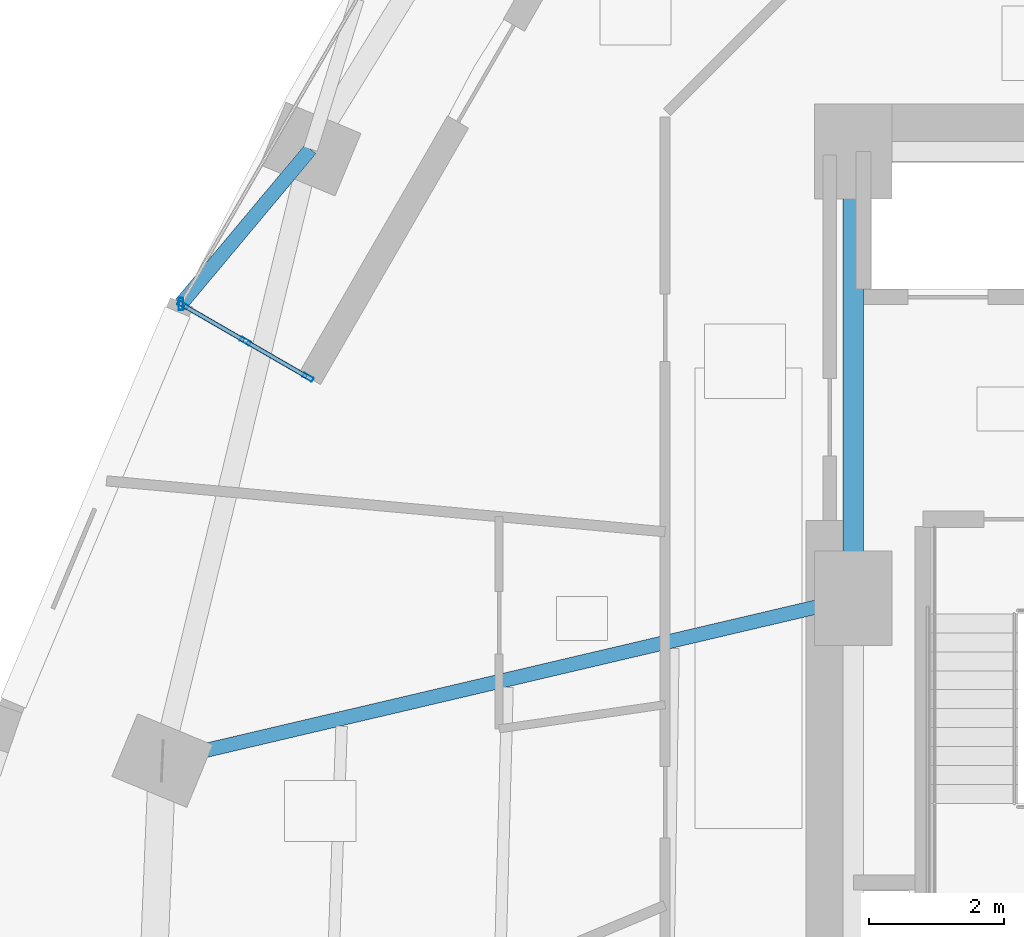
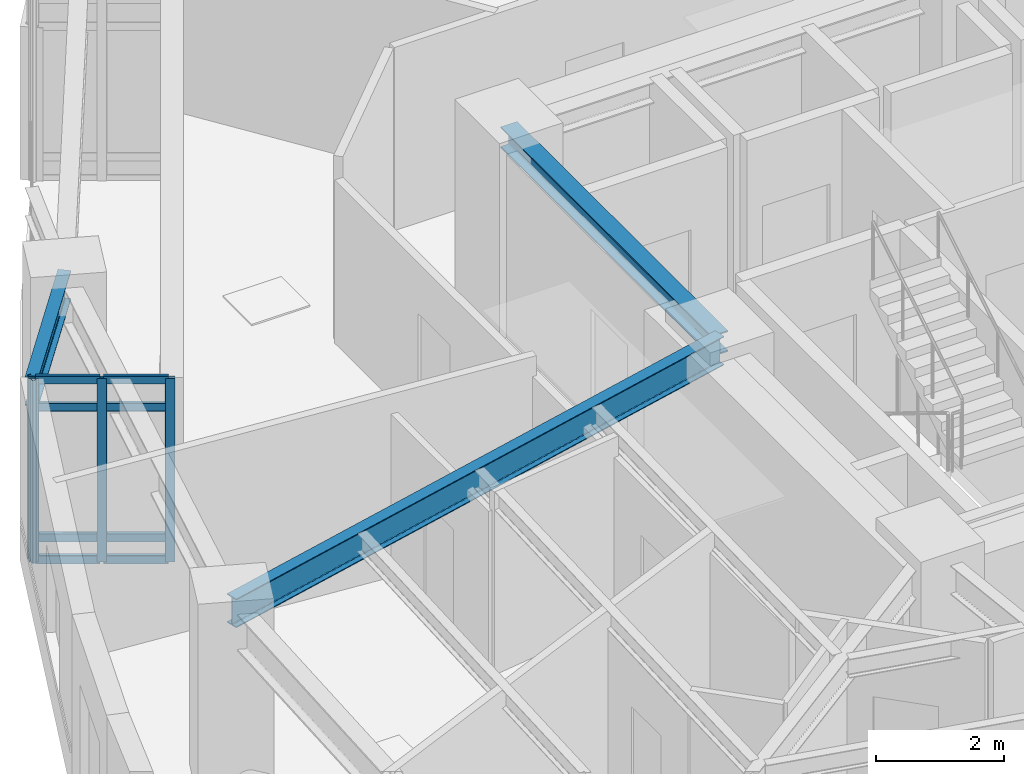
# One storey, part 2 of 13: 12 members, 3 beams, 1 element without a shape of its own.
"""IFC4 building model written with IfcOpenShell, lengths in metres."""

from ifc_helpers import new_model, si_unit, direction, frame, origin, origin_2d, place, context, subcontext, project, spatial, hollow_rectangle, i_section, extrude, material, layer, layer_set, material_profile, profile_set, type_object, element, aggregate, save


model = new_model("IFC4")

# Units and contexts
model_context = context("Model", 3, precision=1e-05, world=origin(), true_north=direction((0.0, 1.0)))
body_context = subcontext(model_context, "Body", "Model", "MODEL_VIEW")
ifc_project = project(units=[si_unit("LENGTHUNIT", "METRE"), si_unit("AREAUNIT", "SQUARE_METRE"), si_unit("VOLUMEUNIT", "CUBIC_METRE"), si_unit("PLANEANGLEUNIT", "RADIAN"), si_unit("MASSUNIT", "GRAM", prefix="KILO")], contexts=[model_context])

# Site, building, storey
site_placement = place(None, origin())
site = spatial("IfcSite", under=ifc_project, at=site_placement, CompositionType="ELEMENT")
building_placement = place(site_placement, origin())
building = spatial("IfcBuilding", under=site, at=building_placement, Name="Ndelora Gate Hotel", CompositionType="ELEMENT")
storey_placement = place(building_placement, frame((0.0, 0.0, 34.25)))
storey = spatial("IfcBuildingStorey", under=building, at=storey_placement, Name="L07", CompositionType="ELEMENT", Elevation=34.25)

# Beams
ifc_material_1 = material(Name="Steel S355", Category="steel")
ifc_material_profile_1 = material_profile(ifc_material_1, i_section(OverallWidth=0.300048828125, OverallDepth=0.39990234375, WebThickness=0.013427734375, FlangeThickness=0.02392578125, FilletRadius=0.027099609375, at=origin_2d()), Name="HEB 400")
ifc_profile_set_1 = profile_set([ifc_material_profile_1], Name="Steel S355")
beam_type_1 = type_object("IfcBeamType", Name="BM-CORE-400", PredefinedType="BEAM", material=ifc_profile_set_1)
beam_1_placement = place(storey_placement, frame((-8.0, 0.0, 3.300048828125), z_axis=(0.0, 1.0, 0.0), x_axis=(-1.0, 0.0, 0.0)))
element("IfcBeam", 1, at=beam_1_placement, inside=storey, type_object=beam_type_1, Name="L07 Core Tie Girder CC8-CC7", PredefinedType="BEAM", context=body_context, shape_type="SweptSolid", body=[
    extrude(i_section(OverallWidth=0.300048828125, OverallDepth=0.39990234375, WebThickness=0.013427734375, FlangeThickness=0.02392578125, FilletRadius=0.027099609375, at=origin_2d()), origin(), (0.0, 0.0, 1.0), 6.60009765625),
])
ifc_material_profile_2 = material_profile(ifc_material_1, i_section(OverallWidth=0.2099609375, OverallDepth=0.550048828125, WebThickness=0.010986328125, FlangeThickness=0.01708984375, FilletRadius=0.02392578125, at=origin_2d()), Name="IPE 550")
ifc_profile_set_2 = profile_set([ifc_material_profile_2], Name="Steel S355")
beam_type_2 = type_object("IfcBeamType", Name="BM-RAD-550", PredefinedType="BEAM", material=ifc_profile_set_2)
beam_2_placement = place(storey_placement, frame((-8.0, 0.0, 3.22509765625), z_axis=(-0.973517848051, -0.22861102232, 0.0), x_axis=(0.22861102232, -0.973517848051, 0.0)))
element("IfcBeam", 2, at=beam_2_placement, inside=storey, type_object=beam_type_2, Name="L07 Radial Floor Girder 4", PredefinedType="BEAM", context=body_context, shape_type="SweptSolid", body=[
    extrude(i_section(OverallWidth=0.2099609375, OverallDepth=0.550048828125, WebThickness=0.010986328125, FlangeThickness=0.01708984375, FilletRadius=0.02392578125, at=origin_2d()), origin(), (0.0, 0.0, 1.0), 10.48486328125),
])
beam_3_placement = place(storey_placement, frame((-16.016845703125, 6.634521484375, 3.22509765625), z_axis=(-0.641689214339, -0.766964765945, 0.0), x_axis=(0.766964765945, -0.641689214339, 0.0)))
element("IfcBeam", 3, at=beam_3_placement, inside=storey, type_object=beam_type_2, Name="L07 Sky-Garden Loggia Column Bracket 3", PredefinedType="BEAM", context=body_context, shape_type="SweptSolid", body=[
    extrude(i_section(OverallWidth=0.2099609375, OverallDepth=0.550048828125, WebThickness=0.010986328125, FlangeThickness=0.01708984375, FilletRadius=0.02392578125, at=origin_2d()), origin(), (0.0, 0.0, 1.0), 2.981689453125),
])

# Curtain wall, members
ifc_material_2 = material(Name="Bronze Anodised Unitised Aluminium and Low-E Glass", Category="aluminium")
ifc_layer = layer(ifc_material_2, 0.199951171875)
ifc_layer_set = layer_set([ifc_layer], Name="Bronze Anodised Unitised Aluminium and Low-E Glass")
curtain_wall_type = type_object("IfcCurtainWallType", Name="CW-SYS-3", PredefinedType="NOTDEFINED", material=ifc_layer_set)
curtain_wall_placement = place(storey_placement, origin())
curtain_wall = element("IfcCurtainWall", 4, at=curtain_wall_placement, inside=storey, type_object=curtain_wall_type, Name="L07 Sky-Garden Loggia Side Curtain Wall CW3-2", PredefinedType="NOTDEFINED")
ifc_material_3 = material(Name="Bronze Anodised Aluminium 6063-T6", Category="aluminium")
ifc_material_profile_3 = material_profile(ifc_material_3, hollow_rectangle(XDim=0.06494140625, YDim=0.159912109375, WallThickness=0.00390625, InnerFilletRadius=0.00390625, OuterFilletRadius=0.008056640625, at=origin_2d()), Name="ALU 160x65x4")
ifc_profile_set_3 = profile_set([ifc_material_profile_3], Name="Bronze Anodised Aluminium 6063-T6")
member_type_1 = type_object("IfcMemberType", Name="MB-CW-MUL150", PredefinedType="MULLION", material=ifc_profile_set_3)
member_1_placement = place(storey_placement, frame((-17.902099609375, 4.331298828125, -0.00390625), z_axis=(0.0, 0.0, 1.0), x_axis=(0.499991317892, 0.866030416344, 0.0)))
member_1 = element("IfcMember", 5, at=member_1_placement, type_object=member_type_1, Name="CW3 mullion 1", PredefinedType="MULLION", context=body_context, shape_type="SweptSolid", body=[
    extrude(hollow_rectangle(XDim=0.06494140625, YDim=0.159912109375, WallThickness=0.00390625, InnerFilletRadius=0.00390625, OuterFilletRadius=0.008056640625, at=origin_2d()), origin(), (0.0, 0.0, 1.0), 3.5078125),
])
member_2_placement = place(storey_placement, frame((-16.9775390625, 3.797607421875, -0.00390625), z_axis=(0.0, 0.0, 1.0), x_axis=(0.499991317892, 0.866030416344, 0.0)))
member_2 = element("IfcMember", 6, at=member_2_placement, type_object=member_type_1, Name="CW3 mullion 2", PredefinedType="MULLION", context=body_context, shape_type="SweptSolid", body=[
    extrude(hollow_rectangle(XDim=0.06494140625, YDim=0.159912109375, WallThickness=0.00390625, InnerFilletRadius=0.00390625, OuterFilletRadius=0.008056640625, at=origin_2d()), origin(), (0.0, 0.0, 1.0), 3.5078125),
])
member_3_placement = place(storey_placement, frame((-16.052978515625, 3.263916015625, -0.00390625), z_axis=(0.0, 0.0, 1.0), x_axis=(0.499991317892, 0.866030416344, 0.0)))
member_3 = element("IfcMember", 7, at=member_3_placement, type_object=member_type_1, Name="CW3 mullion 3", PredefinedType="MULLION", context=body_context, shape_type="SweptSolid", body=[
    extrude(hollow_rectangle(XDim=0.06494140625, YDim=0.159912109375, WallThickness=0.00390625, InnerFilletRadius=0.00390625, OuterFilletRadius=0.008056640625, at=origin_2d()), origin(), (0.0, 0.0, 1.0), 3.5078125),
])
ifc_material_profile_4 = material_profile(ifc_material_3, hollow_rectangle(XDim=0.070068359375, YDim=0.179931640625, WallThickness=0.0048828125, InnerFilletRadius=0.0048828125, OuterFilletRadius=0.010009765625, at=origin_2d()), Name="ALU 180x70x5")
ifc_profile_set_4 = profile_set([ifc_material_profile_4], Name="Bronze Anodised Aluminium 6063-T6")
member_type_2 = type_object("IfcMemberType", Name="MB-CW-MUL180", PredefinedType="MULLION", material=ifc_profile_set_4)
member_4_placement = place(storey_placement, frame((-17.93017578125, 4.34765625, 0.0), z_axis=(0.0, 0.0, 1.0), x_axis=(1.0, 0.0, 0.0)))
member_4 = element("IfcMember", 8, at=member_4_placement, type_object=member_type_2, Name="L07 Sky-Garden Loggia Corner Mullion Post 2", PredefinedType="MULLION", context=body_context, shape_type="SweptSolid", body=[
    extrude(hollow_rectangle(XDim=0.070068359375, YDim=0.179931640625, WallThickness=0.0048828125, InnerFilletRadius=0.0048828125, OuterFilletRadius=0.010009765625, at=origin_2d()), origin(), (0.0, 0.0, 1.0), 3.5),
])
ifc_material_profile_5 = material_profile(ifc_material_3, hollow_rectangle(XDim=0.06494140625, YDim=0.159912109375, WallThickness=0.00390625, InnerFilletRadius=0.00390625, OuterFilletRadius=0.008056640625, at=origin_2d()), Name="ALU 160x65x4")
ifc_profile_set_5 = profile_set([ifc_material_profile_5], Name="Bronze Anodised Aluminium 6063-T6")
member_type_3 = type_object("IfcMemberType", Name="MB-CW-TRN150", PredefinedType="USERDEFINED", material=ifc_profile_set_5)
member_5_placement = place(storey_placement, frame((-17.879150390625, 4.318115234375, 0.032470703125), z_axis=(0.866013277291, -0.500021003115, 0.0), x_axis=(0.500021003115, 0.866013277291, 0.0)))
member_5 = element("IfcMember", 9, at=member_5_placement, type_object=member_type_3, Name="CW3 transom 1.1", ObjectType="TRANSOM", PredefinedType="USERDEFINED", context=body_context, shape_type="SweptSolid", body=[
    extrude(hollow_rectangle(XDim=0.06494140625, YDim=0.159912109375, WallThickness=0.00390625, InnerFilletRadius=0.00390625, OuterFilletRadius=0.008056640625, at=origin_2d()), origin(), (0.0, 0.0, 1.0), 1.0146484375),
])
member_6_placement = place(storey_placement, frame((-17.879150390625, 4.318115234375, 0.449951171875), z_axis=(0.866013277291, -0.500021003115, 0.0), x_axis=(0.500021003115, 0.866013277291, 0.0)))
member_6 = element("IfcMember", 10, at=member_6_placement, type_object=member_type_3, Name="CW3 transom 1.2", ObjectType="TRANSOM", PredefinedType="USERDEFINED", context=body_context, shape_type="SweptSolid", body=[
    extrude(hollow_rectangle(XDim=0.06494140625, YDim=0.159912109375, WallThickness=0.00390625, InnerFilletRadius=0.00390625, OuterFilletRadius=0.008056640625, at=origin_2d()), origin(), (0.0, 0.0, 1.0), 1.0146484375),
])
member_7_placement = place(storey_placement, frame((-17.879150390625, 4.318115234375, 2.949951171875), z_axis=(0.866013277291, -0.500021003115, 0.0), x_axis=(0.500021003115, 0.866013277291, 0.0)))
member_7 = element("IfcMember", 11, at=member_7_placement, type_object=member_type_3, Name="CW3 transom 1.3", ObjectType="TRANSOM", PredefinedType="USERDEFINED", context=body_context, shape_type="SweptSolid", body=[
    extrude(hollow_rectangle(XDim=0.06494140625, YDim=0.159912109375, WallThickness=0.00390625, InnerFilletRadius=0.00390625, OuterFilletRadius=0.008056640625, at=origin_2d()), origin(), (0.0, 0.0, 1.0), 1.0146484375),
])
member_8_placement = place(storey_placement, frame((-17.879150390625, 4.318115234375, 3.467529296875), z_axis=(0.866013277291, -0.500021003115, 0.0), x_axis=(0.500021003115, 0.866013277291, 0.0)))
member_8 = element("IfcMember", 12, at=member_8_placement, type_object=member_type_3, Name="CW3 transom 1.4", ObjectType="TRANSOM", PredefinedType="USERDEFINED", context=body_context, shape_type="SweptSolid", body=[
    extrude(hollow_rectangle(XDim=0.06494140625, YDim=0.159912109375, WallThickness=0.00390625, InnerFilletRadius=0.00390625, OuterFilletRadius=0.008056640625, at=origin_2d()), origin(), (0.0, 0.0, 1.0), 1.0146484375),
])
member_9_placement = place(storey_placement, frame((-16.95458984375, 3.784423828125, 0.032470703125), z_axis=(0.866013277291, -0.500021003115, 0.0), x_axis=(0.500021003115, 0.866013277291, 0.0)))
member_9 = element("IfcMember", 13, at=member_9_placement, type_object=member_type_3, Name="CW3 transom 2.1", ObjectType="TRANSOM", PredefinedType="USERDEFINED", context=body_context, shape_type="SweptSolid", body=[
    extrude(hollow_rectangle(XDim=0.06494140625, YDim=0.159912109375, WallThickness=0.00390625, InnerFilletRadius=0.00390625, OuterFilletRadius=0.008056640625, at=origin_2d()), origin(), (0.0, 0.0, 1.0), 1.0146484375),
])
member_10_placement = place(storey_placement, frame((-16.95458984375, 3.784423828125, 0.449951171875), z_axis=(0.866013277291, -0.500021003115, 0.0), x_axis=(0.500021003115, 0.866013277291, 0.0)))
member_10 = element("IfcMember", 14, at=member_10_placement, type_object=member_type_3, Name="CW3 transom 2.2", ObjectType="TRANSOM", PredefinedType="USERDEFINED", context=body_context, shape_type="SweptSolid", body=[
    extrude(hollow_rectangle(XDim=0.06494140625, YDim=0.159912109375, WallThickness=0.00390625, InnerFilletRadius=0.00390625, OuterFilletRadius=0.008056640625, at=origin_2d()), origin(), (0.0, 0.0, 1.0), 1.0146484375),
])
member_11_placement = place(storey_placement, frame((-16.95458984375, 3.784423828125, 2.949951171875), z_axis=(0.866013277291, -0.500021003115, 0.0), x_axis=(0.500021003115, 0.866013277291, 0.0)))
member_11 = element("IfcMember", 15, at=member_11_placement, type_object=member_type_3, Name="CW3 transom 2.3", ObjectType="TRANSOM", PredefinedType="USERDEFINED", context=body_context, shape_type="SweptSolid", body=[
    extrude(hollow_rectangle(XDim=0.06494140625, YDim=0.159912109375, WallThickness=0.00390625, InnerFilletRadius=0.00390625, OuterFilletRadius=0.008056640625, at=origin_2d()), origin(), (0.0, 0.0, 1.0), 1.0146484375),
])
member_12_placement = place(storey_placement, frame((-16.95458984375, 3.784423828125, 3.467529296875), z_axis=(0.866013277291, -0.500021003115, 0.0), x_axis=(0.500021003115, 0.866013277291, 0.0)))
member_12 = element("IfcMember", 16, at=member_12_placement, type_object=member_type_3, Name="CW3 transom 2.4", ObjectType="TRANSOM", PredefinedType="USERDEFINED", context=body_context, shape_type="SweptSolid", body=[
    extrude(hollow_rectangle(XDim=0.06494140625, YDim=0.159912109375, WallThickness=0.00390625, InnerFilletRadius=0.00390625, OuterFilletRadius=0.008056640625, at=origin_2d()), origin(), (0.0, 0.0, 1.0), 1.0146484375),
])
aggregate(curtain_wall, [member_1, member_2, member_3, member_5, member_6, member_7, member_8, member_9, member_10, member_11, member_12, member_4])

save(model, "model.ifc")
